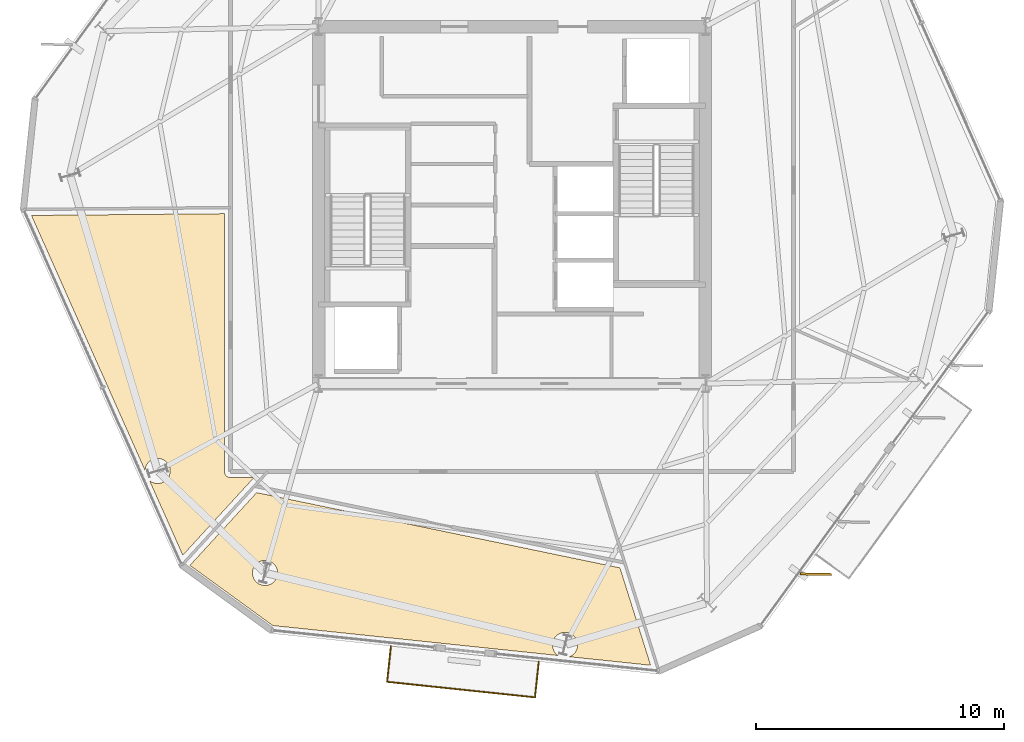
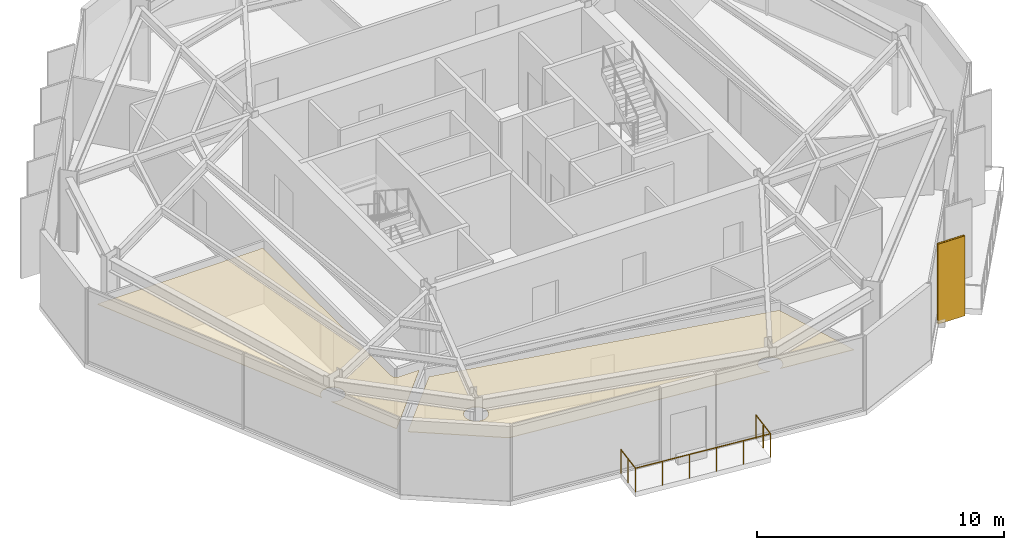
# One storey, part 10 of 12: 3 coverings, 1 railing, 1 shading device.
"""IFC4 building model written with IfcOpenShell, lengths in metres."""

import ifcopenshell
import ifcopenshell.guid

model = None  # the IFC model being written
_history = None  # IfcOwnerHistory: only IFC2X3 demands one
_inside = {}  # id of a spatial element -> (the spatial element, [elements in it])
_under = {}  # id of a project, library or spatial element -> (it, [spatial elements below it])
_declared = {}  # id of a project -> (the project, [libraries it declares])
_typed = {}  # id of a type object -> (the type object, [elements of that type])
_made_of = {}  # id of a material, layer set ... -> (it, [elements and type objects made of it])


def new_model(schema):
    """Start an empty IFC model of exactly this schema.

    Asked for "IFC4X3", IfcOpenShell would pick the latest addendum, in which some entities
    have other attributes; the version numbers below select the first issue.
    IFC2X3 requires an IfcOwnerHistory on every rooted entity: one is made here for all.
    """
    global model, _history
    if schema == "IFC4X3":
        model = ifcopenshell.file(schema_version=(4, 3, 0, 0))
    else:
        model = ifcopenshell.file(schema=schema)
    _inside.clear()
    _under.clear()
    _declared.clear()
    _typed.clear()
    _made_of.clear()
    _history = None
    if model.schema == "IFC2X3":
        org = make("IfcOrganization", Name="unknown")
        user = make(
            "IfcPersonAndOrganization",
            ThePerson=make("IfcPerson", FamilyName="unknown"),
            TheOrganization=org,
        )
        app = make(
            "IfcApplication",
            ApplicationDeveloper=org,
            Version="unknown",
            ApplicationFullName="unknown",
            ApplicationIdentifier="unknown",
        )
        _history = make(
            "IfcOwnerHistory",
            OwningUser=user,
            OwningApplication=app,
            ChangeAction="ADDED",
            CreationDate=0,
        )
    return model


def make(cls, **values):
    """One entity of the class cls with the attributes given. An attribute that is None is left unset."""
    return model.create_entity(
        cls, **{name: value for name, value in values.items() if value is not None}
    )


def rooted(cls, **values):
    """An entity with a GlobalId (a new one), such as an element, a storey or a relation."""
    return make(cls, GlobalId=ifcopenshell.guid.new(), OwnerHistory=_history, **values)


def si_unit(unit_type, name, prefix=None):
    """IfcSIUnit, for example si_unit("LENGTHUNIT", "METRE", prefix="MILLI")."""
    return make("IfcSIUnit", UnitType=unit_type, Prefix=prefix, Name=name)


def assignment(units):
    """IfcUnitAssignment: the units of a project."""
    return None if units is None else make("IfcUnitAssignment", Units=units)


def point(xyz):
    """IfcCartesianPoint."""
    return None if xyz is None else make("IfcCartesianPoint", Coordinates=xyz)


def direction(xyz):
    """IfcDirection."""
    return None if xyz is None else make("IfcDirection", DirectionRatios=xyz)


def frame(location, z_axis=None, x_axis=None):
    """IfcAxis2Placement3D, a coordinate frame: its origin and axes. An axis left out is left unset."""
    return make(
        "IfcAxis2Placement3D",
        Location=point(location),
        Axis=direction(z_axis),
        RefDirection=direction(x_axis),
    )


def frame_2d(location, x_axis=None):
    """IfcAxis2Placement2D, a coordinate frame in the plane: its origin and x axis."""
    return make(
        "IfcAxis2Placement2D", Location=point(location), RefDirection=direction(x_axis)
    )


def origin():
    """The frame at (0, 0, 0) with its axes left unset."""
    return frame((0.0, 0.0, 0.0))


def origin_2d():
    """The frame at (0, 0) in the plane with its x axis left unset."""
    return frame_2d((0.0, 0.0))


def place(relative_to, where):
    """IfcLocalPlacement: puts the frame where relative to a parent placement (None: the world)."""
    return make(
        "IfcLocalPlacement", PlacementRelTo=relative_to, RelativePlacement=where
    )


def context(
    kind, dimensions, precision=None, world=None, true_north=None, identifier=None
):
    """IfcGeometricRepresentationContext, for example the 3D "Model" context."""
    return make(
        "IfcGeometricRepresentationContext",
        ContextIdentifier=identifier,
        ContextType=kind,
        CoordinateSpaceDimension=dimensions,
        Precision=precision,
        WorldCoordinateSystem=world,
        TrueNorth=true_north,
    )


def subcontext(parent, identifier, kind, view, scale=None):
    """IfcGeometricRepresentationSubContext, for example "Body" below "Model"."""
    return make(
        "IfcGeometricRepresentationSubContext",
        ContextIdentifier=identifier,
        ContextType=kind,
        ParentContext=parent,
        TargetScale=scale,
        TargetView=view,
    )


def project(units=None, contexts=None):
    """IfcProject with its units and contexts."""
    return rooted(
        "IfcProject",
        Name="project",
        RepresentationContexts=contexts,
        UnitsInContext=assignment(units),
    )


def spatial(cls, under=None, at=None, **own):
    """A site, building, storey or space (cls), placed at a placement, below another one or the project."""
    s = rooted(cls, ObjectPlacement=at, **own)
    if under is not None:
        _under.setdefault(under.id(), (under, []))[1].append(s)
    return s


def polyline(points):
    """IfcPolyline through the points."""
    return make("IfcPolyline", Points=[point(p) for p in points])


def profile(cls, at=None, kind="AREA", **sizes):
    """A parametric profile (cls). Its sizes go by their IFC names, for example OverallWidth=200.0."""
    return make(cls, ProfileType=kind, Position=at, **sizes)


def rectangle(**sizes):
    """IfcRectangleProfileDef."""
    return profile("IfcRectangleProfileDef", **sizes)


def circle(**sizes):
    """IfcCircleProfileDef."""
    return profile("IfcCircleProfileDef", **sizes)


def outline(outer, holes=None, kind="AREA"):
    """IfcArbitraryClosedProfileDef: a profile drawn as a closed curve; with holes, ...WithVoids."""
    if holes is None:
        return make("IfcArbitraryClosedProfileDef", ProfileType=kind, OuterCurve=outer)
    return make(
        "IfcArbitraryProfileDefWithVoids",
        ProfileType=kind,
        OuterCurve=outer,
        InnerCurves=holes,
    )


def extrude(swept, where, along, depth):
    """IfcExtrudedAreaSolid: the profile swept, set in the frame where, extruded along a direction by depth."""
    return make(
        "IfcExtrudedAreaSolid",
        SweptArea=swept,
        Position=where,
        ExtrudedDirection=direction(along),
        Depth=depth,
    )


def shape(context_of_items, identifier, shape_type, items):
    """IfcShapeRepresentation: the items that make up one representation, for example the "Body"."""
    return make(
        "IfcShapeRepresentation",
        ContextOfItems=context_of_items,
        RepresentationIdentifier=identifier,
        RepresentationType=shape_type,
        Items=items,
    )


def material(Name=None, Category=None):
    """IfcMaterial."""
    return make("IfcMaterial", Name=Name, Category=Category)


def layer(
    of_material, thickness, ventilated=None, Name=None, Category=None, Priority=None
):
    """IfcMaterialLayer: one layer of a wall or slab, of a material (None: an air gap)."""
    return make(
        "IfcMaterialLayer",
        Material=of_material,
        LayerThickness=thickness,
        IsVentilated=ventilated,
        Name=Name,
        Category=Category,
        Priority=Priority,
    )


def layer_set(layers, Name=None):
    """IfcMaterialLayerSet."""
    return make("IfcMaterialLayerSet", MaterialLayers=layers, LayerSetName=Name)


def made_of(thing, what):
    """Note that an element or type object is made of a material, layer set ...; save() writes the relation."""
    if what is not None:
        _made_of.setdefault(what.id(), (what, []))[1].append(thing)
    return thing


def type_object(cls, material=None, **own):
    """A type object (cls), such as IfcWallType, which elements share."""
    return made_of(rooted(cls, **own), material)


def element(
    cls,
    number,
    at=None,
    inside=None,
    cuts=None,
    type_object=None,
    material=None,
    context=None,
    identifier="Body",
    shape_type=None,
    held_by="IfcProductDefinitionShape",
    body=None,
    shapes=None,
    **own,
):
    """One element of the class cls, such as IfcWall. Its Tag is "e" and its number.

    at: its placement. inside: the storey or other place that contains it. cuts: it is an
    opening in that element (IfcRelVoidsElement). A single representation is given by context,
    identifier, shape_type and body (its items); several are given by shapes. held_by: the class
    of the entity that holds the representations. save() writes the other relations.
    """
    e = rooted(cls, Tag="e%d" % number, ObjectPlacement=at, **own)
    if body is not None:
        shapes = [shape(context, identifier, shape_type, body)]
    if shapes is not None:
        e.Representation = make(held_by, Representations=shapes)
    if inside is not None:
        _inside.setdefault(inside.id(), (inside, []))[1].append(e)
    if cuts is not None:
        rooted(
            "IfcRelVoidsElement", RelatingBuildingElement=cuts, RelatedOpeningElement=e
        )
    if type_object is not None:
        _typed.setdefault(type_object.id(), (type_object, []))[1].append(e)
    return made_of(e, material)


def aggregate(whole, parts):
    """IfcRelAggregates: a whole, such as a stair, and the parts it consists of."""
    return rooted("IfcRelAggregates", RelatingObject=whole, RelatedObjects=parts)


def save(model, path):
    """Write the relations noted so far, then the file.

    IfcRelAggregates (storeys below a building ...), IfcRelContainedInSpatialStructure (elements
    in a storey), IfcRelDefinesByType, IfcRelAssociatesMaterial and IfcRelDeclares: one each for
    every whole, place, type object, material and project.
    """
    for whole, parts in _under.values():
        aggregate(whole, parts)
    for where, things in _inside.values():
        rooted(
            "IfcRelContainedInSpatialStructure",
            RelatedElements=things,
            RelatingStructure=where,
        )
    for kind, things in _typed.values():
        rooted("IfcRelDefinesByType", RelatedObjects=things, RelatingType=kind)
    for what, things in _made_of.values():
        rooted("IfcRelAssociatesMaterial", RelatedObjects=things, RelatingMaterial=what)
    for by, libraries in _declared.values():
        rooted("IfcRelDeclares", RelatingContext=by, RelatedDefinitions=libraries)
    model.write(path)


model = new_model("IFC4")

# Units and contexts
model_context = context("Model", 3, precision=1e-05, world=origin(), true_north=direction((0.0, 1.0)))
body_context = subcontext(model_context, "Body", "Model", "MODEL_VIEW")
ifc_project = project(units=[si_unit("LENGTHUNIT", "METRE"), si_unit("AREAUNIT", "SQUARE_METRE"), si_unit("VOLUMEUNIT", "CUBIC_METRE"), si_unit("PLANEANGLEUNIT", "RADIAN"), si_unit("MASSUNIT", "GRAM", prefix="KILO")], contexts=[model_context])

# Site, building, storey
site_placement = place(None, origin())
site = spatial("IfcSite", under=ifc_project, at=site_placement, CompositionType="ELEMENT")
building_placement = place(site_placement, origin())
building = spatial("IfcBuilding", under=site, at=building_placement, Name="Kranzbogen Civic Tower", CompositionType="ELEMENT")
storey_placement = place(building_placement, frame((0.0, 0.0, 240.800048828125)))
storey = spatial("IfcBuildingStorey", under=building, at=storey_placement, Name="L58", CompositionType="ELEMENT", Elevation=240.800048828125)

# Covering
ifc_material_1 = material(Name="Pale Anodised Aluminium", Category="aluminium")
ifc_layer_1 = layer(ifc_material_1, 0.02490234375, Name="Pale Anodised Aluminium")
ifc_layer_set_1 = layer_set([ifc_layer_1], Name="Pale Anodised Aluminium")
covering_type_1 = type_object("IfcCoveringType", Name="Anodised Aluminium Vertical Fin Cladding 25 mm", PredefinedType="CLADDING", material=ifc_layer_set_1)
covering_1_placement = place(storey_placement, frame((37.251953125, 10.112060546875, -0.14013671875), z_axis=(0.0, 0.0, 1.0), x_axis=(0.999798228055, -0.020087388558, 0.0)))
element("IfcCovering", 1, at=covering_1_placement, inside=storey, type_object=covering_type_1, Name="L58 vertical fin pale-metal cladding F5-1", PredefinedType="CLADDING", context=body_context, shape_type="SweptSolid", body=[
    extrude(rectangle(XDim=1.25, YDim=0.10009765625, at=origin_2d()), origin(), (0.0, 0.0, 1.0), 3.9599609375),
])

# Shading device
ifc_material_2 = material(Name="Anodised Bronze Aluminium", Category="aluminium")
shading_device_type = type_object("IfcShadingDeviceType", Name="Anodised Bronze Vertical Facade Fin 1250x80", PredefinedType="USERDEFINED", material=ifc_material_2)
shading_device_placement = place(storey_placement, frame((37.251953125, 10.112060546875, -0.14013671875), z_axis=(0.0, 0.0, 1.0), x_axis=(0.999798228055, -0.020087388558, 0.0)))
element("IfcShadingDevice", 2, at=shading_device_placement, inside=storey, type_object=shading_device_type, Name="L58 vertical exterior shading fin F5-1", ObjectType="FIN", PredefinedType="USERDEFINED", context=body_context, shape_type="SweptSolid", body=[
    extrude(rectangle(XDim=1.25, YDim=0.080078125, at=origin_2d()), origin(), (0.0, 0.0, 1.0), 3.9599609375),
])

# Railing
railing_type = type_object("IfcRailingType", Name="Cantilevered Balcony Glass and Bronze Balustrade 1200", PredefinedType="BALUSTRADE", material=ifc_material_2)
railing_placement = place(storey_placement, frame((20.114013671875, 7.212890625, 0.0)))
element("IfcRailing", 3, at=railing_placement, inside=storey, type_object=railing_type, Name="L58 exterior terrace balustrade L58-TB1", PredefinedType="BALUSTRADE", context=body_context, shape_type="SweptSolid", body=[
    extrude(circle(Radius=0.02392578125, at=origin_2d()), frame((0.0, 0.0, 1.17578125), z_axis=(-0.104903913263, -0.994482362328, 0.0), x_axis=(0.994482362328, -0.104903913263, 0.0)), (0.0, 0.0, 1.0), 1.449951171875),
    extrude(circle(Radius=0.02392578125, at=origin_2d()), frame((-0.152099609375, -1.44189453125, 1.17578125), z_axis=(0.99452550138, -0.104494148666, 0.0), x_axis=(0.104494148666, 0.99452550138, 0.0)), (0.0, 0.0, 1.0), 6.0),
    extrude(circle(Radius=0.02392578125, at=origin_2d()), frame((5.81494140625, -2.06884765625, 1.17578125), z_axis=(0.104903913263, 0.994482362328, 0.0), x_axis=(-0.994482362328, 0.104903913263, 0.0)), (0.0, 0.0, 1.0), 1.449951171875),
    extrude(circle(Radius=0.02099609375, at=origin_2d()), origin(), (0.0, 0.0, 1.0), 1.15185546875),
    extrude(circle(Radius=0.02099609375, at=origin_2d()), frame((-0.076171875, -0.720947265625, 0.0)), (0.0, 0.0, 1.0), 1.15185546875),
    extrude(circle(Radius=0.02099609375, at=origin_2d()), frame((-0.152099609375, -1.44189453125, 0.0)), (0.0, 0.0, 1.0), 1.15185546875),
    extrude(circle(Radius=0.02099609375, at=origin_2d()), frame((1.041259765625, -1.5673828125, 0.0)), (0.0, 0.0, 1.0), 1.15185546875),
    extrude(circle(Radius=0.02099609375, at=origin_2d()), frame((2.234619140625, -1.692626953125, 0.0)), (0.0, 0.0, 1.0), 1.15185546875),
    extrude(circle(Radius=0.02099609375, at=origin_2d()), frame((3.42822265625, -1.818115234375, 0.0)), (0.0, 0.0, 1.0), 1.15185546875),
    extrude(circle(Radius=0.02099609375, at=origin_2d()), frame((4.62158203125, -1.943359375, 0.0)), (0.0, 0.0, 1.0), 1.15185546875),
    extrude(circle(Radius=0.02099609375, at=origin_2d()), frame((5.81494140625, -2.06884765625, 0.0)), (0.0, 0.0, 1.0), 1.15185546875),
    extrude(circle(Radius=0.02099609375, at=origin_2d()), frame((5.89111328125, -1.347900390625, 0.0)), (0.0, 0.0, 1.0), 1.15185546875),
    extrude(circle(Radius=0.02099609375, at=origin_2d()), frame((5.967041015625, -0.626953125, 0.0)), (0.0, 0.0, 1.0), 1.15185546875),
])

# Coverings
ifc_material_3 = material(Name="Perforated Acoustic Gypsum Ceiling")
ifc_layer_2 = layer(ifc_material_3, 0.02490234375, Name="Perforated Acoustic Gypsum Ceiling")
ifc_layer_set_2 = layer_set([ifc_layer_2], Name="Perforated Acoustic Gypsum Ceiling")
covering_type_2 = type_object("IfcCoveringType", Name="Perforated Acoustic Mineral Ceiling Tile 25 mm", PredefinedType="CEILING", material=ifc_layer_set_2)
covering_2_placement = place(storey_placement, frame((0.0, 0.0, 2.89990234375)))
element("IfcCovering", 4, at=covering_2_placement, inside=storey, type_object=covering_type_2, Name="L58 Delegates Sitting Lounge acoustic ceiling", PredefinedType="CEILING", context=body_context, shape_type="SweptSolid", body=[
    extrude(outline(polyline([(13.405029296875, 24.652099609375), (13.405029296875, 14.25), (13.405029296875, 14.240966796875), (13.406005859375, 14.235107421875), (13.406982421875, 14.217041015625), (13.407958984375, 14.2109375), (13.412109375, 14.194091796875), (13.4130859375, 14.18701171875), (13.41796875, 14.169921875), (13.419921875, 14.1640625), (13.427001953125, 14.14794921875), (13.429931640625, 14.14208984375), (13.43798828125, 14.126953125), (13.44189453125, 14.12109375), (13.450927734375, 14.10693359375), (13.455078125, 14.10205078125), (13.466064453125, 14.087890625), (13.470947265625, 14.0830078125), (13.48291015625, 14.071044921875), (13.488037109375, 14.06591796875), (13.501953125, 14.054931640625), (13.507080078125, 14.051025390625), (13.52099609375, 14.0419921875), (13.527099609375, 14.0380859375), (13.5419921875, 14.030029296875), (13.548095703125, 14.027099609375), (13.56396484375, 14.02001953125), (13.570068359375, 14.01806640625), (13.5869140625, 14.012939453125), (13.593994140625, 14.011962890625), (13.611083984375, 14.008056640625), (13.616943359375, 14.007080078125), (13.635009765625, 14.006103515625), (13.64111328125, 14.0048828125), (13.64990234375, 14.0048828125), (14.589111328125, 14.0048828125), (11.721923828125, 10.876953125), (10.381103515625, 13.886962890625), (10.385009765625, 13.884033203125), (10.425048828125, 13.85400390625), (10.468017578125, 13.8291015625), (10.512939453125, 13.806884765625), (10.56005859375, 13.791015625), (10.60791015625, 13.779052734375), (10.656982421875, 13.77099609375), (10.70703125, 13.76904296875), (10.757080078125, 13.77099609375), (10.805908203125, 13.779052734375), (10.85400390625, 13.791015625), (10.90087890625, 13.806884765625), (10.946044921875, 13.8291015625), (10.989013671875, 13.85400390625), (11.029052734375, 13.884033203125), (11.06591796875, 13.9169921875), (11.09912109375, 13.9541015625), (11.12890625, 13.993896484375), (11.154052734375, 14.037109375), (11.176025390625, 14.08203125), (11.19189453125, 14.12890625), (11.2041015625, 14.177001953125), (11.2119140625, 14.22607421875), (11.214111328125, 14.27587890625), (11.2119140625, 14.325927734375), (11.2041015625, 14.375), (11.19189453125, 14.423095703125), (11.176025390625, 14.469970703125), (11.154052734375, 14.514892578125), (11.12890625, 14.55810546875), (11.09912109375, 14.597900390625), (11.06591796875, 14.635009765625), (11.029052734375, 14.66796875), (10.989013671875, 14.697998046875), (10.946044921875, 14.722900390625), (10.90087890625, 14.7451171875), (10.85400390625, 14.760986328125), (10.805908203125, 14.77294921875), (10.757080078125, 14.781005859375), (10.70703125, 14.782958984375), (10.656982421875, 14.781005859375), (10.60791015625, 14.77294921875), (10.56005859375, 14.760986328125), (10.512939453125, 14.7451171875), (10.468017578125, 14.722900390625), (10.425048828125, 14.697998046875), (10.385009765625, 14.66796875), (10.347900390625, 14.635009765625), (10.31494140625, 14.597900390625), (10.284912109375, 14.55810546875), (10.260009765625, 14.514892578125), (10.238037109375, 14.469970703125), (10.221923828125, 14.423095703125), (10.2099609375, 14.375), (10.201904296875, 14.325927734375), (10.200927734375, 14.29296875), (5.618896484375, 24.58203125), (13.405029296875, 24.652099609375)])), origin(), (0.0, 0.0, 1.0), 0.025146484375),
])
covering_3_placement = place(storey_placement, frame((0.0, 0.0, 2.89990234375)))
element("IfcCovering", 5, at=covering_3_placement, inside=storey, type_object=covering_type_2, Name="L58 Protocol Dining Room acoustic ceiling", PredefinedType="CEILING", context=body_context, shape_type="SweptSolid", body=[
    extrude(outline(polyline([(14.700927734375, 13.402099609375), (29.35400390625, 10.368896484375), (30.592041015625, 6.43896484375), (27.31201171875, 6.782958984375), (27.333984375, 6.791015625), (27.37890625, 6.81298828125), (27.422119140625, 6.837890625), (27.4619140625, 6.867919921875), (27.4990234375, 6.90087890625), (27.531982421875, 6.93798828125), (27.56201171875, 6.97802734375), (27.5869140625, 7.02099609375), (27.60888671875, 7.06591796875), (27.625, 7.113037109375), (27.636962890625, 7.160888671875), (27.64501953125, 7.2099609375), (27.64697265625, 7.260009765625), (27.64501953125, 7.31005859375), (27.636962890625, 7.35888671875), (27.625, 7.406982421875), (27.60888671875, 7.4541015625), (27.5869140625, 7.4990234375), (27.56201171875, 7.5419921875), (27.531982421875, 7.58203125), (27.4990234375, 7.618896484375), (27.4619140625, 7.652099609375), (27.422119140625, 7.681884765625), (27.37890625, 7.70703125), (27.333984375, 7.72900390625), (27.287109375, 7.7451171875), (27.239013671875, 7.757080078125), (27.18994140625, 7.764892578125), (27.139892578125, 7.76708984375), (27.090087890625, 7.764892578125), (27.041015625, 7.757080078125), (26.992919921875, 7.7451171875), (26.946044921875, 7.72900390625), (26.90087890625, 7.70703125), (26.85791015625, 7.681884765625), (26.818115234375, 7.652099609375), (26.781005859375, 7.618896484375), (26.748046875, 7.58203125), (26.718017578125, 7.5419921875), (26.693115234375, 7.4990234375), (26.6708984375, 7.4541015625), (26.655029296875, 7.406982421875), (26.64306640625, 7.35888671875), (26.635009765625, 7.31005859375), (26.633056640625, 7.260009765625), (26.635009765625, 7.2099609375), (26.64306640625, 7.160888671875), (26.655029296875, 7.113037109375), (26.6708984375, 7.06591796875), (26.693115234375, 7.02099609375), (26.718017578125, 6.97802734375), (26.748046875, 6.93798828125), (26.781005859375, 6.90087890625), (26.818115234375, 6.867919921875), (26.85791015625, 6.837890625), (26.873046875, 6.830078125), (15.35205078125, 8.0400390625), (12.010986328125, 10.468017578125), (14.700927734375, 13.402099609375)]), holes=[polyline([(15.508056640625, 9.970947265625), (15.486083984375, 9.926025390625), (15.4609375, 9.883056640625), (15.430908203125, 9.843017578125), (15.39794921875, 9.805908203125), (15.361083984375, 9.77294921875), (15.321044921875, 9.742919921875), (15.278076171875, 9.718017578125), (15.23291015625, 9.696044921875), (15.18603515625, 9.679931640625), (15.137939453125, 9.66796875), (15.089111328125, 9.659912109375), (15.0390625, 9.657958984375), (14.989013671875, 9.659912109375), (14.93994140625, 9.66796875), (14.89208984375, 9.679931640625), (14.844970703125, 9.696044921875), (14.800048828125, 9.718017578125), (14.757080078125, 9.742919921875), (14.717041015625, 9.77294921875), (14.679931640625, 9.805908203125), (14.64697265625, 9.843017578125), (14.616943359375, 9.883056640625), (14.592041015625, 9.926025390625), (14.570068359375, 9.970947265625), (14.553955078125, 10.01806640625), (14.5419921875, 10.06591796875), (14.533935546875, 10.114990234375), (14.531982421875, 10.1650390625), (14.533935546875, 10.215087890625), (14.5419921875, 10.263916015625), (14.553955078125, 10.31201171875), (14.570068359375, 10.35888671875), (14.592041015625, 10.404052734375), (14.616943359375, 10.447021484375), (14.64697265625, 10.487060546875), (14.679931640625, 10.52392578125), (14.717041015625, 10.556884765625), (14.757080078125, 10.5869140625), (14.800048828125, 10.612060546875), (14.844970703125, 10.634033203125), (14.89208984375, 10.64990234375), (14.93994140625, 10.662109375), (14.989013671875, 10.669921875), (15.0390625, 10.672119140625), (15.089111328125, 10.669921875), (15.137939453125, 10.662109375), (15.18603515625, 10.64990234375), (15.23291015625, 10.634033203125), (15.278076171875, 10.612060546875), (15.321044921875, 10.5869140625), (15.361083984375, 10.556884765625), (15.39794921875, 10.52392578125), (15.430908203125, 10.487060546875), (15.4609375, 10.447021484375), (15.486083984375, 10.404052734375), (15.508056640625, 10.35888671875), (15.52392578125, 10.31201171875), (15.535888671875, 10.263916015625), (15.5439453125, 10.215087890625), (15.5458984375, 10.1650390625), (15.5439453125, 10.114990234375), (15.535888671875, 10.06591796875), (15.52392578125, 10.01806640625), (15.508056640625, 9.970947265625)])]), origin(), (0.0, 0.0, 1.0), 0.025146484375),
])

save(model, "model.ifc")
